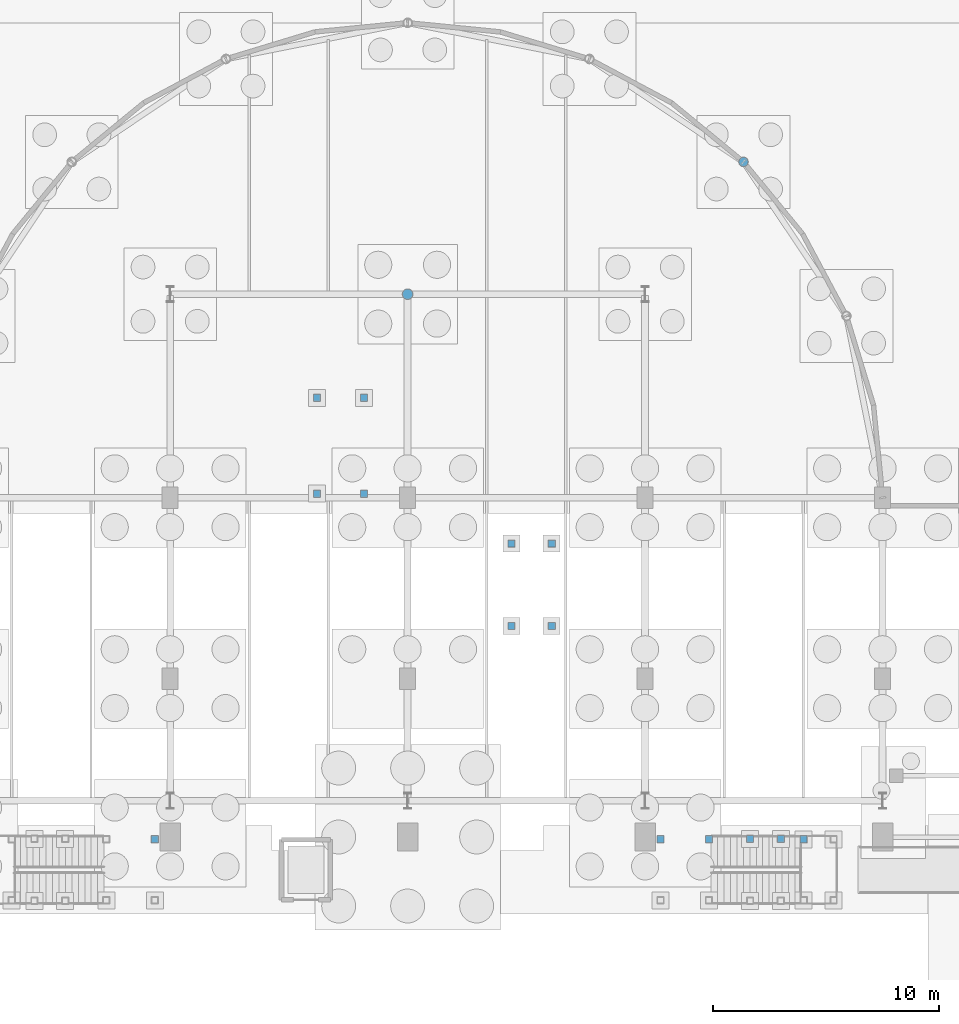
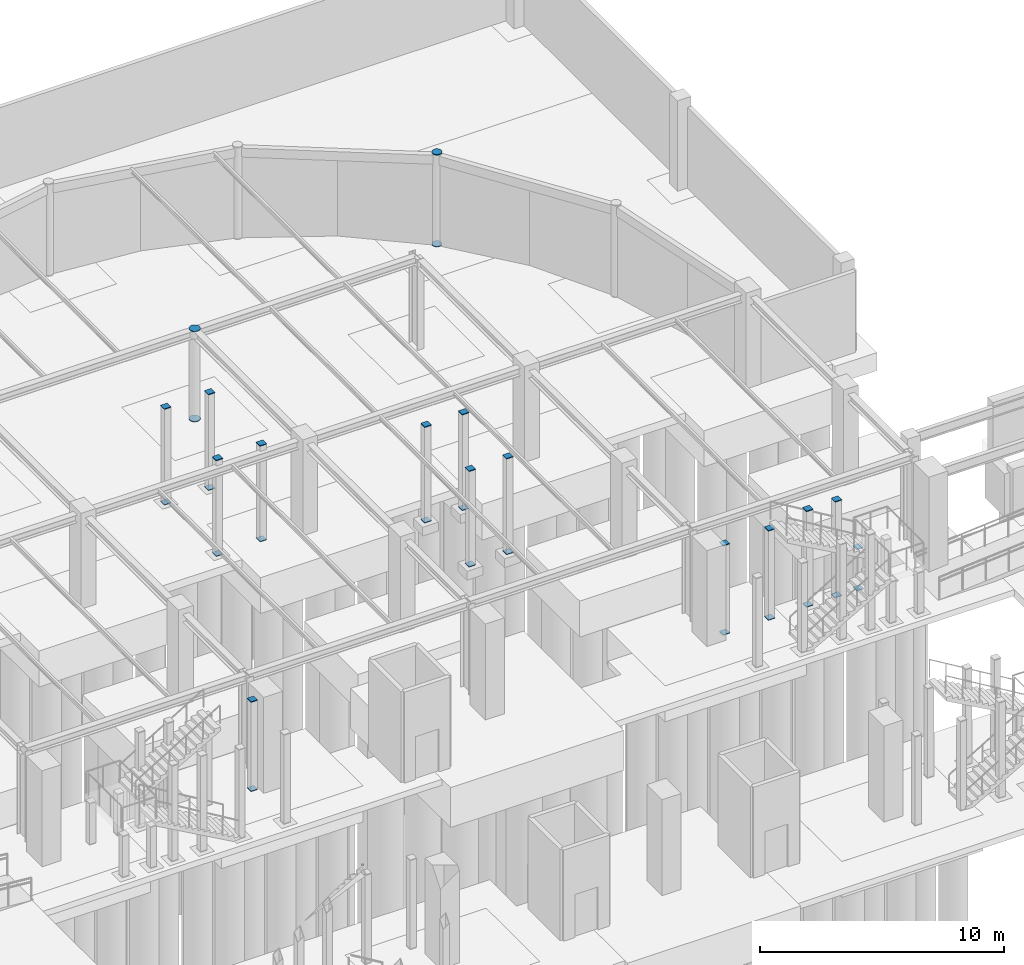
# One storey, part 132 of 160: 32 discrete accessories.
"""IFC4 building model written with IfcOpenShell, lengths in metres."""

from ifc_helpers import new_model, si_unit, direction, frame, origin, origin_2d, place, context, subcontext, project, spatial, rectangle, circle, extrude, material, element, save


model = new_model("IFC4")

# Units and contexts
model_context = context("Model", 3, precision=1e-05, world=origin(), true_north=direction((0.0, 1.0)))
body_context = subcontext(model_context, "Body", "Model", "MODEL_VIEW")
ifc_project = project(units=[si_unit("LENGTHUNIT", "METRE"), si_unit("AREAUNIT", "SQUARE_METRE"), si_unit("VOLUMEUNIT", "CUBIC_METRE"), si_unit("PLANEANGLEUNIT", "RADIAN"), si_unit("MASSUNIT", "GRAM", prefix="KILO")], contexts=[model_context])

# Site, building, storey
site_placement = place(None, origin())
site = spatial("IfcSite", under=ifc_project, at=site_placement, CompositionType="ELEMENT")
building_placement = place(site_placement, origin())
building = spatial("IfcBuilding", under=site, at=building_placement, Name="Marlcrest Central Station", CompositionType="ELEMENT")
storey_placement = place(building_placement, origin())
storey = spatial("IfcBuildingStorey", under=building, at=storey_placement, Name="L00", CompositionType="ELEMENT", Elevation=0.0)

# Discrete accessories
ifc_material = material(Name="Steel S355", Category="steel")
for number, where, z_axis, x_axis, name in (
    (1, (122.84912109375, 125.34912109375, -0.014892578125), (0.0, 0.0, 1.0), (1.0, 0.0, 0.0), "endcap-col-SC-10-L00-0863-s"),
    (2, (122.84912109375, 125.34912109375, 4.585205078125), (0.0, 0.0, 1.0), (1.0, 0.0, 0.0), "endcap-col-SC-10-L00-0863-e"),
):
    element("IfcDiscreteAccessory", number, at=place(storey_placement, frame(where, z_axis=z_axis, x_axis=x_axis)), inside=storey, material=ifc_material, Name=name, ObjectType="END_CAP_PLATE", PredefinedType="BRACKET", context=body_context, shape_type="SweptSolid", body=[
        extrude(circle(Radius=0.211181640625, at=origin_2d()), origin(), (0.0, 0.0, 1.0), 0.0400390625),
    ])
for number, where, z_axis, x_axis, name in (
    (3, (108.0, 119.5, -0.014892578125), (0.0, 0.0, 1.0), (1.0, 0.0, 0.0), "endcap-col-SC-11-L00-0875-s"),
    (4, (108.0, 119.5, 4.4951171875), (0.0, 0.0, 1.0), (1.0, 0.0, 0.0), "endcap-col-SC-11-L00-0875-e"),
):
    element("IfcDiscreteAccessory", number, at=place(storey_placement, frame(where, z_axis=z_axis, x_axis=x_axis)), inside=storey, material=ifc_material, Name=name, ObjectType="END_CAP_PLATE", PredefinedType="BRACKET", context=body_context, shape_type="SweptSolid", body=[
        extrude(circle(Radius=0.236572265625, at=origin_2d()), origin(), (0.0, 0.0, 1.0), 0.0400390625),
    ])
for number, where, z_axis, x_axis, name in (
    (5, (96.820068359375, 95.39990234375, -0.014892578125), (0.0, 0.0, 1.0), (1.0, 0.0, 0.0), "endcap-stcol-tr-0025-968-954-s"),
    (6, (96.820068359375, 95.39990234375, 4.455078125), (0.0, 0.0, 1.0), (1.0, 0.0, 0.0), "endcap-stcol-tr-0025-968-954-e"),
    (7, (119.179931640625, 95.39990234375, -0.014892578125), (0.0, 0.0, 1.0), (1.0, 0.0, 0.0), "endcap-stcol-tr-0028-1191-954-s"),
    (8, (119.179931640625, 95.39990234375, 4.455078125), (0.0, 0.0, 1.0), (1.0, 0.0, 0.0), "endcap-stcol-tr-0028-1191-954-e"),
    (9, (121.320068359375, 95.39990234375, -0.014892578125), (0.0, 0.0, 1.0), (1.0, 0.0, 0.0), "endcap-stcol-tr-0028-1213-954-s"),
    (10, (121.320068359375, 95.39990234375, 4.455078125), (0.0, 0.0, 1.0), (1.0, 0.0, 0.0), "endcap-stcol-tr-0028-1213-954-e"),
    (11, (125.510009765625, 95.39990234375, -0.014892578125), (0.0, 0.0, 1.0), (1.0, 0.0, 0.0), "endcap-stcol-0029-1255-954-s"),
    (12, (125.510009765625, 95.39990234375, 2.05517578125), (0.0, 0.0, 1.0), (1.0, 0.0, 0.0), "endcap-stcol-0029-1255-954-e"),
    (13, (123.139892578125, 95.419921875, -0.014892578125), (0.0, 0.0, 1.0), (1.0, 0.0, 0.0), "endcap-stcol-hi0-0030-1231-954-s"),
    (14, (123.139892578125, 95.419921875, 4.775146484375), (0.0, 0.0, 1.0), (1.0, 0.0, 0.0), "endcap-stcol-hi0-0030-1231-954-e"),
    (15, (124.5, 95.419921875, -0.014892578125), (0.0, 0.0, 1.0), (1.0, 0.0, 0.0), "endcap-stcol-hi0-0030-1245-954-s"),
    (16, (124.5, 95.419921875, 4.775146484375), (0.0, 0.0, 1.0), (1.0, 0.0, 0.0), "endcap-stcol-hi0-0030-1245-954-e"),
    (17, (103.989990234375, 110.679931640625, -0.014892578125), (0.0, 0.0, 1.0), (1.0, 0.0, 0.0), "endcap-htcol-n11-0034-0-s"),
    (18, (103.989990234375, 110.679931640625, 4.775146484375), (0.0, 0.0, 1.0), (1.0, 0.0, 0.0), "endcap-htcol-n11-0034-0-e"),
    (19, (106.070068359375, 110.679931640625, -0.014892578125), (0.0, 0.0, 1.0), (1.0, 0.0, 0.0), "endcap-htcol-n11-0034-1-s"),
    (20, (106.070068359375, 110.679931640625, 4.775146484375), (0.0, 0.0, 1.0), (1.0, 0.0, 0.0), "endcap-htcol-n11-0034-1-e"),
    (21, (106.070068359375, 114.919921875, -0.014892578125), (0.0, 0.0, 1.0), (1.0, 0.0, 0.0), "endcap-htcol-n11-0034-2-s"),
    (22, (106.070068359375, 114.919921875, 4.775146484375), (0.0, 0.0, 1.0), (1.0, 0.0, 0.0), "endcap-htcol-n11-0034-2-e"),
    (23, (103.989990234375, 114.919921875, -0.014892578125), (0.0, 0.0, 1.0), (1.0, 0.0, 0.0), "endcap-htcol-n11-0034-3-s"),
    (24, (103.989990234375, 114.919921875, 4.775146484375), (0.0, 0.0, 1.0), (1.0, 0.0, 0.0), "endcap-htcol-n11-0034-3-e"),
    (25, (112.590087890625, 104.830078125, -0.014892578125), (0.0, 0.0, 1.0), (1.0, 0.0, 0.0), "endcap-htcol-L00-0036-0-s"),
    (26, (112.590087890625, 104.830078125, 4.775146484375), (0.0, 0.0, 1.0), (1.0, 0.0, 0.0), "endcap-htcol-L00-0036-0-e"),
    (27, (114.3701171875, 104.830078125, -0.014892578125), (0.0, 0.0, 1.0), (1.0, 0.0, 0.0), "endcap-htcol-L00-0036-1-s"),
    (28, (114.3701171875, 104.830078125, 4.775146484375), (0.0, 0.0, 1.0), (1.0, 0.0, 0.0), "endcap-htcol-L00-0036-1-e"),
    (29, (114.3701171875, 108.469970703125, -0.014892578125), (0.0, 0.0, 1.0), (1.0, 0.0, 0.0), "endcap-htcol-L00-0036-2-s"),
    (30, (114.3701171875, 108.469970703125, 4.775146484375), (0.0, 0.0, 1.0), (1.0, 0.0, 0.0), "endcap-htcol-L00-0036-2-e"),
    (31, (112.590087890625, 108.469970703125, -0.014892578125), (0.0, 0.0, 1.0), (1.0, 0.0, 0.0), "endcap-htcol-L00-0036-3-s"),
    (32, (112.590087890625, 108.469970703125, 4.775146484375), (0.0, 0.0, 1.0), (1.0, 0.0, 0.0), "endcap-htcol-L00-0036-3-e"),
):
    element("IfcDiscreteAccessory", number, at=place(storey_placement, frame(where, z_axis=z_axis, x_axis=x_axis)), inside=storey, material=ifc_material, Name=name, ObjectType="END_CAP_PLATE", PredefinedType="BRACKET", context=body_context, shape_type="SweptSolid", body=[
        extrude(rectangle(XDim=0.31591796875, YDim=0.31591796875, at=origin_2d()), origin(), (0.0, 0.0, 1.0), 0.0400390625),
    ])

save(model, "model.ifc")
